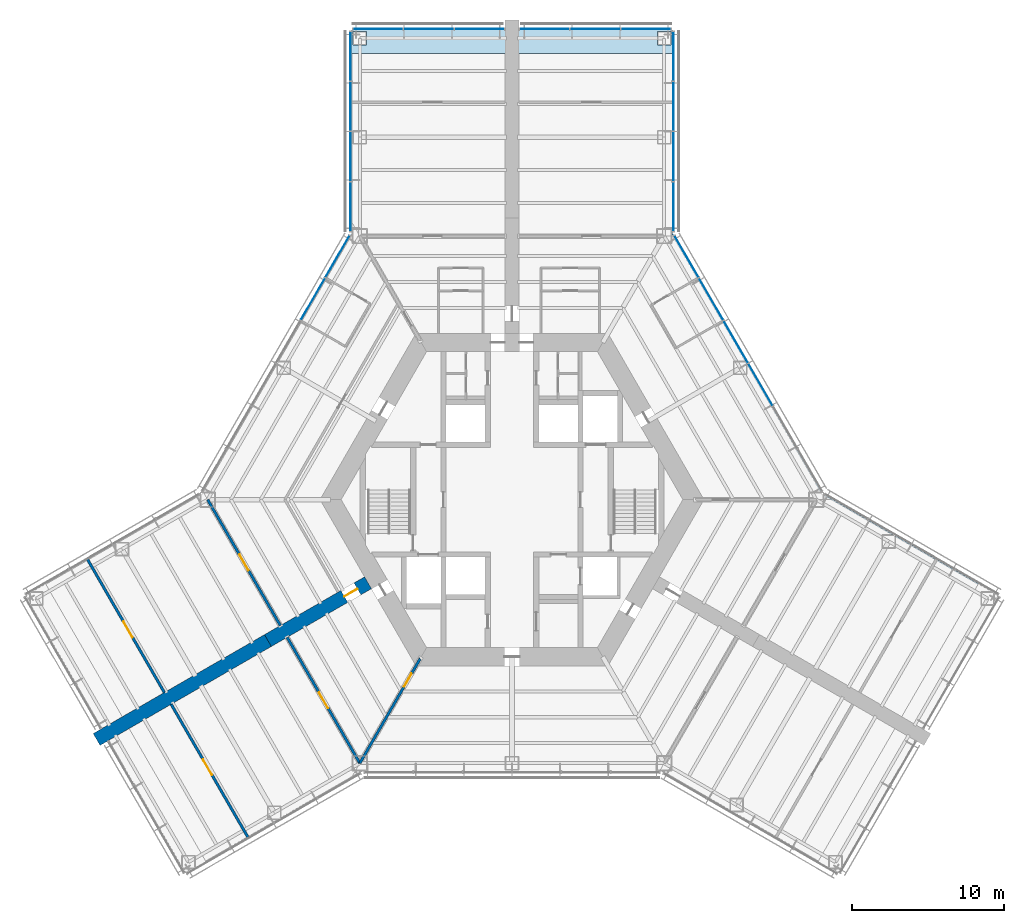
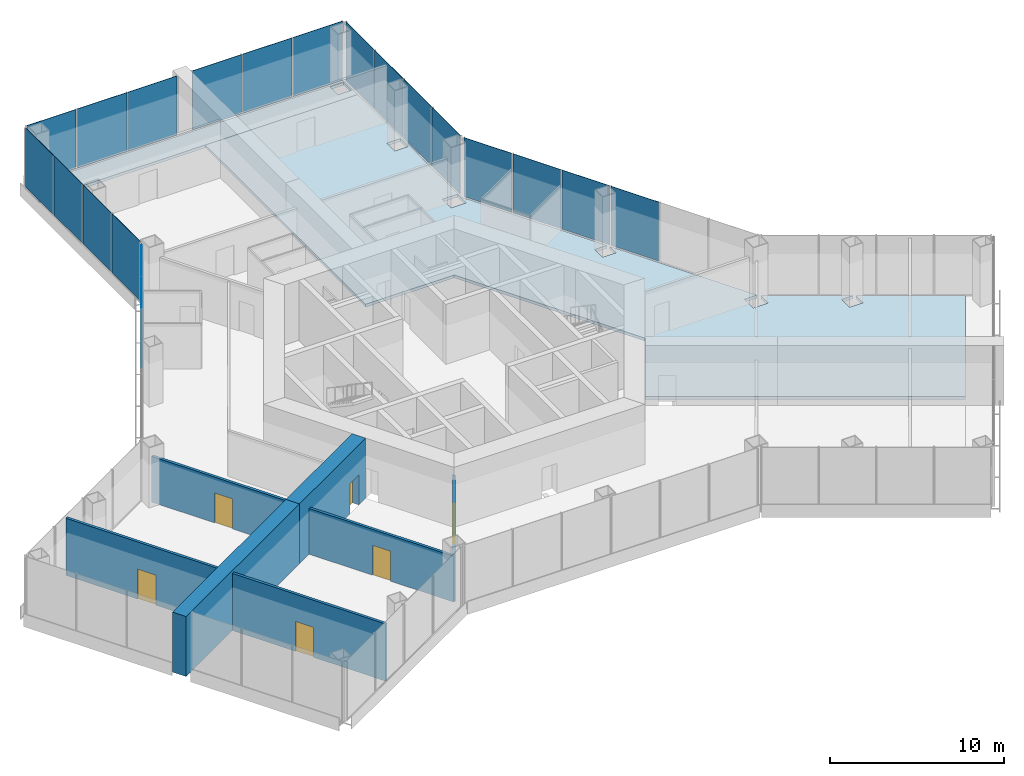
# One storey, part 10 of 16: 20 plates, 7 walls, 6 doors, 2 slabs, 6 openings, 6 elements without a shape of their own.
"""IFC4 building model written with IfcOpenShell, lengths in metres."""

from ifc_helpers import new_model, si_unit, direction, frame, frame_2d, origin, origin_2d, place, context, subcontext, project, spatial, polyline, rectangle, outline, extrude, material, layer, layer_set, type_object, element, fill, aggregate, save


model = new_model("IFC4")

# Units and contexts
model_context = context("Model", 3, precision=1e-05, world=origin(), true_north=direction((0.0, 1.0)))
body_context = subcontext(model_context, "Body", "Model", "MODEL_VIEW")
ifc_project = project(units=[si_unit("LENGTHUNIT", "METRE"), si_unit("AREAUNIT", "SQUARE_METRE"), si_unit("VOLUMEUNIT", "CUBIC_METRE"), si_unit("PLANEANGLEUNIT", "RADIAN"), si_unit("MASSUNIT", "GRAM", prefix="KILO")], contexts=[model_context])

# Site, building, storey
site_placement = place(None, origin())
site = spatial("IfcSite", under=ifc_project, at=site_placement, CompositionType="ELEMENT")
building_placement = place(site_placement, origin())
building = spatial("IfcBuilding", under=site, at=building_placement, Name="Kasaneha Research Tower", CompositionType="ELEMENT")
storey_placement = place(building_placement, frame((0.0, 0.0, 14.199951171875)))
storey = spatial("IfcBuildingStorey", under=building, at=storey_placement, Name="L04", CompositionType="ELEMENT", Elevation=14.199951171875)

# Curtain wall, plates
ifc_material_1 = material(Name="Glass and aluminium", Category="aluminium")
curtain_wall_type = type_object("IfcCurtainWallType", Name="Wet laboratory curtain wall", PredefinedType="USERDEFINED", material=ifc_material_1)
curtain_wall_1_placement = place(storey_placement, origin())
curtain_wall_1 = element("IfcCurtainWall", 1, at=curtain_wall_1_placement, inside=storey, type_object=curtain_wall_type, Name="CW-L1 L04 run 07a", ObjectType="UNITISED CURTAIN WALL", PredefinedType="USERDEFINED")
ifc_material_2 = material(Name="Laminated double glazing", Category="glass")
ifc_layer_1 = layer(ifc_material_2, 0.030029296875)
ifc_layer_set_1 = layer_set([ifc_layer_1], Name="CW-L1 glazed panel")
plate_type = type_object("IfcPlateType", Name="CW-L1 glazed panel", PredefinedType="CURTAIN_PANEL", material=ifc_layer_set_1)
plate_1_placement = place(storey_placement, frame((16.331298828125, 7.554443359375, 0.06494140625), z_axis=(0.0, 0.0, 1.0), x_axis=(-0.49999996188, 0.866025425793, 0.0)))
plate_1 = element("IfcPlate", 2, at=plate_1_placement, type_object=plate_type, Name="CW-L1 panel 3", PredefinedType="CURTAIN_PANEL", context=body_context, shape_type="SweptSolid", body=[
    extrude(rectangle(XDim=3.181396484375, YDim=0.030029296875, at=origin_2d()), origin(), (0.0, 0.0, 1.0), 4.135009765625),
])
plate_2_placement = place(storey_placement, frame((14.7080078125, 10.365966796875, 0.06494140625), z_axis=(0.0, 0.0, 1.0), x_axis=(-0.49999996188, 0.866025425793, 0.0)))
plate_2 = element("IfcPlate", 3, at=plate_2_placement, type_object=plate_type, Name="CW-L1 panel 4", PredefinedType="CURTAIN_PANEL", context=body_context, shape_type="SweptSolid", body=[
    extrude(rectangle(XDim=3.181396484375, YDim=0.030029296875, at=origin_2d()), origin(), (0.0, 0.0, 1.0), 4.135009765625),
])
plate_3_placement = place(storey_placement, frame((13.084716796875, 13.177490234375, 0.06494140625), z_axis=(0.0, 0.0, 1.0), x_axis=(-0.49999996188, 0.866025425793, 0.0)))
plate_3 = element("IfcPlate", 4, at=plate_3_placement, type_object=plate_type, Name="CW-L1 panel 5", PredefinedType="CURTAIN_PANEL", context=body_context, shape_type="SweptSolid", body=[
    extrude(rectangle(XDim=3.181396484375, YDim=0.030029296875, at=origin_2d()), origin(), (0.0, 0.0, 1.0), 4.135009765625),
])
plate_4_placement = place(storey_placement, frame((11.4697265625, 15.974853515625, 0.06494140625), z_axis=(0.0, 0.0, 1.0), x_axis=(-0.49999996188, 0.866025425793, 0.0)))
plate_4 = element("IfcPlate", 5, at=plate_4_placement, type_object=plate_type, Name="CW-L1 panel 6", PredefinedType="CURTAIN_PANEL", context=body_context, shape_type="SweptSolid", body=[
    extrude(rectangle(XDim=3.14892578125, YDim=0.030029296875, at=origin_2d()), origin(), (0.0, 0.0, 1.0), 4.135009765625),
])
aggregate(curtain_wall_1, [plate_1, plate_2, plate_3, plate_4])

curtain_wall_2_placement = place(storey_placement, origin())
curtain_wall_2 = element("IfcCurtainWall", 6, at=curtain_wall_2_placement, inside=storey, type_object=curtain_wall_type, Name="CW-L1 L04 run 08a", ObjectType="UNITISED CURTAIN WALL", PredefinedType="USERDEFINED")
plate_5_placement = place(storey_placement, frame((10.60009765625, 19.25244140625, 0.06494140625), z_axis=(0.0, 0.0, 1.0), x_axis=(0.0, 1.0, 0.0)))
plate_5 = element("IfcPlate", 7, at=plate_5_placement, type_object=plate_type, Name="CW-L1 panel 1", PredefinedType="CURTAIN_PANEL", context=body_context, shape_type="SweptSolid", body=[
    extrude(rectangle(XDim=3.21240234375, YDim=0.030029296875, at=origin_2d()), origin(), (0.0, 0.0, 1.0), 4.135009765625),
])
plate_6_placement = place(storey_placement, frame((10.60009765625, 22.5458984375, 0.06494140625), z_axis=(0.0, 0.0, 1.0), x_axis=(0.0, 1.0, 0.0)))
plate_6 = element("IfcPlate", 8, at=plate_6_placement, type_object=plate_type, Name="CW-L1 panel 2", PredefinedType="CURTAIN_PANEL", context=body_context, shape_type="SweptSolid", body=[
    extrude(rectangle(XDim=3.244873046875, YDim=0.030029296875, at=origin_2d()), origin(), (0.0, 0.0, 1.0), 4.135009765625),
])
plate_7_placement = place(storey_placement, frame((10.60009765625, 25.855712890625, 0.06494140625), z_axis=(0.0, 0.0, 1.0), x_axis=(0.0, 1.0, 0.0)))
plate_7 = element("IfcPlate", 9, at=plate_7_placement, type_object=plate_type, Name="CW-L1 panel 3", PredefinedType="CURTAIN_PANEL", context=body_context, shape_type="SweptSolid", body=[
    extrude(rectangle(XDim=3.244873046875, YDim=0.030029296875, at=origin_2d()), origin(), (0.0, 0.0, 1.0), 4.135009765625),
])
plate_8_placement = place(storey_placement, frame((10.60009765625, 29.1494140625, 0.06494140625), z_axis=(0.0, 0.0, 1.0), x_axis=(0.0, 1.0, 0.0)))
plate_8 = element("IfcPlate", 10, at=plate_8_placement, type_object=plate_type, Name="CW-L1 panel 4", PredefinedType="CURTAIN_PANEL", context=body_context, shape_type="SweptSolid", body=[
    extrude(rectangle(XDim=3.21240234375, YDim=0.030029296875, at=origin_2d()), origin(), (0.0, 0.0, 1.0), 4.135009765625),
])
aggregate(curtain_wall_2, [plate_5, plate_6, plate_7, plate_8])

curtain_wall_3_placement = place(storey_placement, origin())
curtain_wall_3 = element("IfcCurtainWall", 11, at=curtain_wall_3_placement, inside=storey, type_object=curtain_wall_type, Name="CW-L1 L04 run 09a", ObjectType="UNITISED CURTAIN WALL", PredefinedType="USERDEFINED")
plate_9_placement = place(storey_placement, frame((8.808837890625, 30.92041015625, 0.06494140625), z_axis=(0.0, 0.0, 1.0), x_axis=(-1.0, 0.0, 0.0)))
plate_9 = element("IfcPlate", 12, at=plate_9_placement, type_object=plate_type, Name="CW-L1 panel 1", PredefinedType="CURTAIN_PANEL", context=body_context, shape_type="SweptSolid", body=[
    extrude(rectangle(XDim=3.25244140625, YDim=0.030029296875, at=origin_2d()), origin(), (0.0, 0.0, 1.0), 4.135009765625),
])
plate_10_placement = place(storey_placement, frame((5.47509765625, 30.92041015625, 0.06494140625), z_axis=(0.0, 0.0, 1.0), x_axis=(-1.0, 0.0, 0.0)))
plate_10 = element("IfcPlate", 13, at=plate_10_placement, type_object=plate_type, Name="CW-L1 panel 2", PredefinedType="CURTAIN_PANEL", context=body_context, shape_type="SweptSolid", body=[
    extrude(rectangle(XDim=3.284912109375, YDim=0.030029296875, at=origin_2d()), origin(), (0.0, 0.0, 1.0), 4.135009765625),
])
plate_11_placement = place(storey_placement, frame((2.141357421875, 30.92041015625, 0.06494140625), z_axis=(0.0, 0.0, 1.0), x_axis=(-1.0, 0.0, 0.0)))
plate_11 = element("IfcPlate", 14, at=plate_11_placement, type_object=plate_type, Name="CW-L1 panel 3", PredefinedType="CURTAIN_PANEL", context=body_context, shape_type="SweptSolid", body=[
    extrude(rectangle(XDim=3.25244140625, YDim=0.030029296875, at=origin_2d()), origin(), (0.0, 0.0, 1.0), 4.135009765625),
])
aggregate(curtain_wall_3, [plate_9, plate_10, plate_11])

curtain_wall_4_placement = place(storey_placement, origin())
curtain_wall_4 = element("IfcCurtainWall", 15, at=curtain_wall_4_placement, inside=storey, type_object=curtain_wall_type, Name="CW-L1 L04 run 10a", ObjectType="UNITISED CURTAIN WALL", PredefinedType="USERDEFINED")
plate_12_placement = place(storey_placement, frame((-2.141357421875, 30.92041015625, 0.06494140625), z_axis=(0.0, 0.0, 1.0), x_axis=(-1.0, 0.0, 0.0)))
plate_12 = element("IfcPlate", 16, at=plate_12_placement, type_object=plate_type, Name="CW-L1 panel 1", PredefinedType="CURTAIN_PANEL", context=body_context, shape_type="SweptSolid", body=[
    extrude(rectangle(XDim=3.25244140625, YDim=0.030029296875, at=origin_2d()), origin(), (0.0, 0.0, 1.0), 4.135009765625),
])
plate_13_placement = place(storey_placement, frame((-5.47509765625, 30.92041015625, 0.06494140625), z_axis=(0.0, 0.0, 1.0), x_axis=(-1.0, 0.0, 0.0)))
plate_13 = element("IfcPlate", 17, at=plate_13_placement, type_object=plate_type, Name="CW-L1 panel 2", PredefinedType="CURTAIN_PANEL", context=body_context, shape_type="SweptSolid", body=[
    extrude(rectangle(XDim=3.284912109375, YDim=0.030029296875, at=origin_2d()), origin(), (0.0, 0.0, 1.0), 4.135009765625),
])
plate_14_placement = place(storey_placement, frame((-8.808837890625, 30.92041015625, 0.06494140625), z_axis=(0.0, 0.0, 1.0), x_axis=(-1.0, 0.0, 0.0)))
plate_14 = element("IfcPlate", 18, at=plate_14_placement, type_object=plate_type, Name="CW-L1 panel 3", PredefinedType="CURTAIN_PANEL", context=body_context, shape_type="SweptSolid", body=[
    extrude(rectangle(XDim=3.25244140625, YDim=0.030029296875, at=origin_2d()), origin(), (0.0, 0.0, 1.0), 4.135009765625),
])
aggregate(curtain_wall_4, [plate_12, plate_13, plate_14])

curtain_wall_5_placement = place(storey_placement, origin())
curtain_wall_5 = element("IfcCurtainWall", 19, at=curtain_wall_5_placement, inside=storey, type_object=curtain_wall_type, Name="CW-L1 L04 run 11a", ObjectType="UNITISED CURTAIN WALL", PredefinedType="USERDEFINED")
plate_15_placement = place(storey_placement, frame((-10.60009765625, 29.1494140625, 0.06494140625), z_axis=(0.0, 0.0, 1.0), x_axis=(0.0, -1.0, 0.0)))
plate_15 = element("IfcPlate", 20, at=plate_15_placement, type_object=plate_type, Name="CW-L1 panel 1", PredefinedType="CURTAIN_PANEL", context=body_context, shape_type="SweptSolid", body=[
    extrude(rectangle(XDim=3.21240234375, YDim=0.030029296875, at=origin_2d()), origin(), (0.0, 0.0, 1.0), 4.135009765625),
])
plate_16_placement = place(storey_placement, frame((-10.60009765625, 25.855712890625, 0.06494140625), z_axis=(0.0, 0.0, 1.0), x_axis=(0.0, -1.0, 0.0)))
plate_16 = element("IfcPlate", 21, at=plate_16_placement, type_object=plate_type, Name="CW-L1 panel 2", PredefinedType="CURTAIN_PANEL", context=body_context, shape_type="SweptSolid", body=[
    extrude(rectangle(XDim=3.244873046875, YDim=0.030029296875, at=origin_2d()), origin(), (0.0, 0.0, 1.0), 4.135009765625),
])
plate_17_placement = place(storey_placement, frame((-10.60009765625, 22.5458984375, 0.06494140625), z_axis=(0.0, 0.0, 1.0), x_axis=(0.0, -1.0, 0.0)))
plate_17 = element("IfcPlate", 22, at=plate_17_placement, type_object=plate_type, Name="CW-L1 panel 3", PredefinedType="CURTAIN_PANEL", context=body_context, shape_type="SweptSolid", body=[
    extrude(rectangle(XDim=3.244873046875, YDim=0.030029296875, at=origin_2d()), origin(), (0.0, 0.0, 1.0), 4.135009765625),
])
plate_18_placement = place(storey_placement, frame((-10.60009765625, 19.25244140625, 0.06494140625), z_axis=(0.0, 0.0, 1.0), x_axis=(0.0, -1.0, 0.0)))
plate_18 = element("IfcPlate", 23, at=plate_18_placement, type_object=plate_type, Name="CW-L1 panel 4", PredefinedType="CURTAIN_PANEL", context=body_context, shape_type="SweptSolid", body=[
    extrude(rectangle(XDim=3.21240234375, YDim=0.030029296875, at=origin_2d()), origin(), (0.0, 0.0, 1.0), 4.135009765625),
])
aggregate(curtain_wall_5, [plate_15, plate_16, plate_17, plate_18])

curtain_wall_6_placement = place(storey_placement, origin())
curtain_wall_6 = element("IfcCurtainWall", 24, at=curtain_wall_6_placement, inside=storey, type_object=curtain_wall_type, Name="CW-L1 L04 run 12a", ObjectType="UNITISED CURTAIN WALL", PredefinedType="USERDEFINED")
plate_19_placement = place(storey_placement, frame((-11.4697265625, 15.974853515625, 0.06494140625), z_axis=(0.0, 0.0, 1.0), x_axis=(-0.49999996188, -0.866025425793, 0.0)))
plate_19 = element("IfcPlate", 25, at=plate_19_placement, type_object=plate_type, Name="CW-L1 panel 1", PredefinedType="CURTAIN_PANEL", context=body_context, shape_type="SweptSolid", body=[
    extrude(rectangle(XDim=3.14892578125, YDim=0.030029296875, at=origin_2d()), origin(), (0.0, 0.0, 1.0), 4.135009765625),
])
plate_20_placement = place(storey_placement, frame((-13.084716796875, 13.177490234375, 0.06494140625), z_axis=(0.0, 0.0, 1.0), x_axis=(-0.49999996188, -0.866025425793, 0.0)))
plate_20 = element("IfcPlate", 26, at=plate_20_placement, type_object=plate_type, Name="CW-L1 panel 2", PredefinedType="CURTAIN_PANEL", context=body_context, shape_type="SweptSolid", body=[
    extrude(rectangle(XDim=3.181396484375, YDim=0.030029296875, at=origin_2d()), origin(), (0.0, 0.0, 1.0), 4.135009765625),
])
aggregate(curtain_wall_6, [plate_19, plate_20])

# Slabs
ifc_material_3 = material(Name="Concrete Fc24", Category="concrete")
ifc_layer_2 = layer(ifc_material_3, 0.199951171875)
ifc_layer_set_2 = layer_set([ifc_layer_2], Name="Floor slab 200")
slab_type = type_object("IfcSlabType", Name="Floor slab 200", PredefinedType="FLOOR", material=ifc_layer_set_2)
slab_1_placement = place(storey_placement, frame((0.0, 0.0, -0.199951171875)))
element("IfcSlab", 27, at=slab_1_placement, inside=storey, type_object=slab_type, Name="Floor slab L04 3", PredefinedType="FLOOR", context=body_context, shape_type="SweptSolid", body=[
    extrude(outline(polyline([(10.550048828125, 29.310546875), (0.449951171875, 29.310546875), (0.449951171875, 29.320556640625), (-0.449951171875, 29.320556640625), (-0.449951171875, 29.310546875), (-10.550048828125, 29.310546875), (-10.550048828125, 30.87060546875), (10.550048828125, 30.87060546875), (10.550048828125, 29.310546875)]), holes=[polyline([(-9.550048828125, 29.87060546875), (-9.550048828125, 30.7705078125), (-10.449951171875, 30.7705078125), (-10.449951171875, 29.87060546875), (-9.550048828125, 29.87060546875)]), polyline([(9.550048828125, 29.87060546875), (10.449951171875, 29.87060546875), (10.449951171875, 30.7705078125), (9.550048828125, 30.7705078125), (9.550048828125, 29.87060546875)])]), origin(), (0.0, 0.0, 1.0), 0.199951171875),
])
slab_2_placement = place(storey_placement, frame((0.0, 0.0, -0.199951171875)))
element("IfcSlab", 28, at=slab_2_placement, inside=storey, type_object=slab_type, Name="Floor slab L04 5", PredefinedType="FLOOR", context=body_context, shape_type="SweptSolid", body=[
    extrude(outline(polyline([(9.686279296875, -5.07275390625), (12.614990234375, 0.0), (6.3076171875, 10.925048828125), (0.449951171875, 10.925048828125), (0.449951171875, 29.310546875), (10.550048828125, 29.310546875), (10.550048828125, 17.4677734375), (15.375244140625, 9.1103515625), (14.550048828125, 9.1103515625), (14.550048828125, 8.210205078125), (15.449951171875, 8.210205078125), (15.449951171875, 8.980712890625), (20.346435546875, 0.5), (19.5, 0.5), (19.5, -0.5), (20.5, -0.5), (20.5, 0.346435546875), (25.083740234375, -2.300048828125), (24.313232421875, -2.300048828125), (24.313232421875, -3.199951171875), (25.213134765625, -3.199951171875), (25.213134765625, -2.374755859375), (30.65869140625, -5.518798828125), (25.608642578125, -14.265625), (9.686279296875, -5.07275390625)]), holes=[polyline([(9.5, 16.820556640625), (10.5, 16.820556640625), (10.5, 17.820556640625), (9.5, 17.820556640625), (9.5, 16.820556640625)]), polyline([(9.550048828125, 23.37060546875), (10.449951171875, 23.37060546875), (10.449951171875, 24.2705078125), (9.550048828125, 24.2705078125), (9.550048828125, 23.37060546875)])]), origin(), (0.0, 0.0, 1.0), 0.199951171875),
])

# Wall, opening, door
ifc_material_4 = material(Name="Gypsum board on steel studs, two layers each side", Category="steel")
ifc_layer_3 = layer(ifc_material_4, 0.175048828125)
ifc_layer_set_3 = layer_set([ifc_layer_3], Name="Laboratory fire partition 175")
wall_type_1 = type_object("IfcWallType", Name="Laboratory fire partition 175", PredefinedType="PARTITIONING", material=ifc_layer_set_3)
wall_1_placement = place(storey_placement, frame((-15.22509765625, -8.2705078125, 0.0), z_axis=(0.0, 0.0, 1.0), x_axis=(-0.499993908199, 0.866028920859, 0.0)))
wall_1 = element("IfcWall", 29, at=wall_1_placement, inside=storey, type_object=wall_type_1, Name="Laboratory fire partition LABB-N L04", PredefinedType="PARTITIONING", context=body_context, shape_type="SweptSolid", body=[
    extrude(rectangle(XDim=9.5498046875, YDim=0.175048828125, at=frame_2d((4.77490234375, 0.0))), origin(), (0.0, 0.0, 1.0), 3.2080078125),
])
opening_1_placement = place(wall_1_placement, frame((4.175048828125, 0.0, 0.0)))
opening_1 = element("IfcOpeningElement", 30, at=opening_1_placement, cuts=wall_1, Name="Opening L04-D36", PredefinedType="OPENING", context=body_context, shape_type="SweptSolid", body=[
    extrude(rectangle(XDim=1.199951171875, YDim=2.10009765625, at=frame_2d((0.60009765625, 1.050048828125))), frame((0.0, 0.09765625, 0.0), z_axis=(0.0, -1.0, 0.0), x_axis=(1.0, 0.0, 0.0)), (0.0, 0.0, 1.0), 0.195068359375),
])
ifc_material_5 = material(Name="Steel", Category="steel")
door_type_1 = type_object("IfcDoorType", Name="Laboratory door FD60 1200x2100", OperationType="DOUBLE_DOOR_SINGLE_SWING", PredefinedType="DOOR", material=ifc_material_5)
door_1_placement = place(opening_1_placement, origin())
door_1 = element("IfcDoor", 31, at=door_1_placement, inside=storey, type_object=door_type_1, Name="Laboratory door L04-D36", OperationType="DOUBLE_DOOR_SINGLE_SWING", OverallHeight=2.10009765625, OverallWidth=1.199951171875, PredefinedType="DOOR", context=body_context, shape_type="SweptSolid", body=[
    extrude(rectangle(XDim=1.199951171875, YDim=2.10009765625, at=frame_2d((0.60009765625, 1.050048828125))), frame((0.0, 0.02490234375, 0.0), z_axis=(0.0, -1.0, 0.0), x_axis=(1.0, 0.0, 0.0)), (0.0, 0.0, 1.0), 0.050048828125),
])
fill(opening_1, door_1)

wall_2_placement = place(storey_placement, frame((-22.845947265625, -12.670654296875, 0.0), z_axis=(0.0, 0.0, 1.0), x_axis=(-0.50000186303, 0.866024328161, 0.0)))
wall_2 = element("IfcWall", 32, at=wall_2_placement, inside=storey, type_object=wall_type_1, Name="Laboratory fire partition SUPB-N L04", PredefinedType="PARTITIONING", context=body_context, shape_type="SweptSolid", body=[
    extrude(rectangle(XDim=10.13525390625, YDim=0.175048828125, at=frame_2d((5.067626953125, 0.0))), origin(), (0.0, 0.0, 1.0), 4.0),
])
opening_2_placement = place(wall_2_placement, frame((4.175048828125, 0.0, 0.0)))
opening_2 = element("IfcOpeningElement", 33, at=opening_2_placement, cuts=wall_2, Name="Opening L04-D39", PredefinedType="OPENING", context=body_context, shape_type="SweptSolid", body=[
    extrude(rectangle(XDim=1.199951171875, YDim=2.10009765625, at=frame_2d((0.60009765625, 1.050048828125))), frame((0.0, 0.09765625, 0.0), z_axis=(0.0, -1.0, 0.0), x_axis=(1.0, 0.0, 0.0)), (0.0, 0.0, 1.0), 0.195068359375),
])
door_2_placement = place(opening_2_placement, origin())
door_2 = element("IfcDoor", 34, at=door_2_placement, inside=storey, type_object=door_type_1, Name="Laboratory support room door L04-D39", OperationType="DOUBLE_DOOR_SINGLE_SWING", OverallHeight=2.10009765625, OverallWidth=1.199951171875, PredefinedType="DOOR", context=body_context, shape_type="SweptSolid", body=[
    extrude(rectangle(XDim=1.199951171875, YDim=2.10009765625, at=frame_2d((0.60009765625, 1.050048828125))), frame((0.0, 0.02490234375, 0.0), z_axis=(0.0, -1.0, 0.0), x_axis=(1.0, 0.0, 0.0)), (0.0, 0.0, 1.0), 0.050048828125),
])
fill(opening_2, door_2)

wall_3_placement = place(storey_placement, frame((-14.77490234375, -9.050048828125, 0.0), z_axis=(0.0, 0.0, 1.0), x_axis=(0.499993908199, -0.866028920859, 0.0)))
wall_3 = element("IfcWall", 35, at=wall_3_placement, inside=storey, type_object=wall_type_1, Name="Laboratory fire partition LABB-S L04", PredefinedType="PARTITIONING", context=body_context, shape_type="SweptSolid", body=[
    extrude(rectangle(XDim=9.5498046875, YDim=0.175048828125, at=frame_2d((4.77490234375, 0.0))), origin(), (0.0, 0.0, 1.0), 3.2080078125),
])
opening_3_placement = place(wall_3_placement, frame((4.175048828125, 0.0, 0.0)))
opening_3 = element("IfcOpeningElement", 36, at=opening_3_placement, cuts=wall_3, Name="Opening L04-D40", PredefinedType="OPENING", context=body_context, shape_type="SweptSolid", body=[
    extrude(rectangle(XDim=1.199951171875, YDim=2.10009765625, at=frame_2d((0.60009765625, 1.050048828125))), frame((0.0, 0.09765625, 0.0), z_axis=(0.0, -1.0, 0.0), x_axis=(1.0, 0.0, 0.0)), (0.0, 0.0, 1.0), 0.195068359375),
])
door_3_placement = place(opening_3_placement, origin())
door_3 = element("IfcDoor", 37, at=door_3_placement, inside=storey, type_object=door_type_1, Name="Laboratory door L04-D40", OperationType="DOUBLE_DOOR_SINGLE_SWING", OverallHeight=2.10009765625, OverallWidth=1.199951171875, PredefinedType="DOOR", context=body_context, shape_type="SweptSolid", body=[
    extrude(rectangle(XDim=1.199951171875, YDim=2.10009765625, at=frame_2d((0.60009765625, 1.050048828125))), frame((0.0, 0.02490234375, 0.0), z_axis=(0.0, -1.0, 0.0), x_axis=(1.0, 0.0, 0.0)), (0.0, 0.0, 1.0), 0.050048828125),
])
fill(opening_3, door_3)

wall_4_placement = place(storey_placement, frame((-22.39599609375, -13.449951171875, 0.0), z_axis=(0.0, 0.0, 1.0), x_axis=(0.500005203629, -0.866022399447, 0.0)))
wall_4 = element("IfcWall", 38, at=wall_4_placement, inside=storey, type_object=wall_type_1, Name="Laboratory fire partition SUPB-S L04", PredefinedType="PARTITIONING", context=body_context, shape_type="SweptSolid", body=[
    extrude(rectangle(XDim=10.14013671875, YDim=0.175048828125, at=frame_2d((5.070068359375, 0.0))), origin(), (0.0, 0.0, 1.0), 4.0),
])
opening_4_placement = place(wall_4_placement, frame((4.175048828125, 0.0, 0.0)))
opening_4 = element("IfcOpeningElement", 39, at=opening_4_placement, cuts=wall_4, Name="Opening L04-D41", PredefinedType="OPENING", context=body_context, shape_type="SweptSolid", body=[
    extrude(rectangle(XDim=1.199951171875, YDim=2.10009765625, at=frame_2d((0.60009765625, 1.050048828125))), frame((0.0, 0.09765625, 0.0), z_axis=(0.0, -1.0, 0.0), x_axis=(1.0, 0.0, 0.0)), (0.0, 0.0, 1.0), 0.195068359375),
])
door_4_placement = place(opening_4_placement, origin())
door_4 = element("IfcDoor", 40, at=door_4_placement, inside=storey, type_object=door_type_1, Name="Laboratory support room door L04-D41", OperationType="DOUBLE_DOOR_SINGLE_SWING", OverallHeight=2.10009765625, OverallWidth=1.199951171875, PredefinedType="DOOR", context=body_context, shape_type="SweptSolid", body=[
    extrude(rectangle(XDim=1.199951171875, YDim=2.10009765625, at=frame_2d((0.60009765625, 1.050048828125))), frame((0.0, 0.02490234375, 0.0), z_axis=(0.0, -1.0, 0.0), x_axis=(1.0, 0.0, 0.0)), (0.0, 0.0, 1.0), 0.050048828125),
])
fill(opening_4, door_4)

ifc_material_6 = material(Name="Concrete Fc100", Category="concrete")
ifc_layer_4 = layer(ifc_material_6, 0.89990234375)
ifc_layer_set_4 = layer_set([ifc_layer_4], Name="Spine wall 900 Fc100")
wall_type_2 = type_object("IfcWallType", Name="Spine wall 900 Fc100", PredefinedType="SHEAR", material=ifc_layer_set_4)
wall_5_placement = place(storey_placement, frame((-9.46142578125, -5.46240234375, 0.0), z_axis=(0.0, 0.0, 1.0), x_axis=(-0.866019116917, -0.500010889016, 0.0)))
wall_5 = element("IfcWall", 41, at=wall_5_placement, inside=storey, type_object=wall_type_2, Name="Spine wall B L04", PredefinedType="SHEAR", context=body_context, shape_type="SweptSolid", body=[
    extrude(rectangle(XDim=7.595458984375, YDim=0.89990234375, at=frame_2d((3.7978515625, 0.0))), origin(), (0.0, 0.0, 1.0), 4.199951171875),
])
opening_5_placement = place(wall_5_placement, frame((0.800048828125, 0.0, 0.0)))
opening_5 = element("IfcOpeningElement", 42, at=opening_5_placement, cuts=wall_5, Name="Opening L04-D18", PredefinedType="OPENING", context=body_context, shape_type="SweptSolid", body=[
    extrude(rectangle(XDim=1.0, YDim=2.10009765625, at=frame_2d((0.5, 1.050048828125))), frame((0.0, 0.4599609375, 0.0), z_axis=(0.0, -1.0, 0.0), x_axis=(1.0, 0.0, 0.0)), (0.0, 0.0, 1.0), 0.919921875),
])
ifc_material_7 = material(Name="Steel", Category="steel")
door_type_2 = type_object("IfcDoorType", Name="Specified fire door FD60 1000x2100", OperationType="NOTDEFINED", PredefinedType="DOOR", material=ifc_material_7)
door_5_placement = place(opening_5_placement, origin())
door_5 = element("IfcDoor", 43, at=door_5_placement, inside=storey, type_object=door_type_2, Name="Spine doorway B L04-D18", OperationType="SINGLE_SWING_LEFT", OverallHeight=2.10009765625, OverallWidth=1.0, PredefinedType="DOOR", context=body_context, shape_type="SweptSolid", body=[
    extrude(rectangle(XDim=1.0, YDim=2.10009765625, at=frame_2d((0.5, 1.050048828125))), frame((0.0, 0.02490234375, 0.0), z_axis=(0.0, -1.0, 0.0), x_axis=(1.0, 0.0, 0.0)), (0.0, 0.0, 1.0), 0.050048828125),
])
fill(opening_5, door_5)

# Wall
wall_6_placement = place(storey_placement, frame((-16.039306640625, -9.26025390625, 0.0), z_axis=(0.0, 0.0, 1.0), x_axis=(-0.866024837091, -0.50000098154, 0.0)))
element("IfcWall", 44, at=wall_6_placement, inside=storey, type_object=wall_type_2, Name="Spine wall B wing L04", PredefinedType="SHEAR", context=body_context, shape_type="SweptSolid", body=[
    extrude(rectangle(XDim=13.0, YDim=0.89990234375, at=frame_2d((6.5, 0.0))), origin(), (0.0, 0.0, 1.0), 4.199951171875),
])

# Wall, opening, door
ifc_material_8 = material(Name="Gypsum board on steel studs, two layers each side", Category="steel")
ifc_layer_5 = layer(ifc_material_8, 0.175048828125)
ifc_layer_set_5 = layer_set([ifc_layer_5], Name="Tenancy fire partition 175")
wall_type_3 = type_object("IfcWallType", Name="Tenancy fire partition 175", PredefinedType="PARTITIONING", material=ifc_layer_set_5)
wall_7_placement = place(storey_placement, frame((-6.03515625, -10.453125, 0.0), z_axis=(0.0, 0.0, 1.0), x_axis=(-0.499993402427, -0.866029212861, 0.0)))
wall_7 = element("IfcWall", 45, at=wall_7_placement, inside=storey, type_object=wall_type_3, Name="Tenancy fire partition T240 L04", PredefinedType="PARTITIONING", context=body_context, shape_type="SweptSolid", body=[
    extrude(outline(polyline([(-0.050537109375, -0.08740234375), (1.12939453125, -0.08740234375), (2.12939453125, -0.08740234375), (7.9296875, -0.08740234375), (7.9296875, 0.08740234375), (2.12939453125, 0.08740234375), (1.12939453125, 0.08740234375), (0.050537109375, 0.08740234375), (-0.050537109375, -0.08740234375)])), origin(), (0.0, 0.0, 1.0), 3.300048828125),
])
opening_6_placement = place(wall_7_placement, frame((1.12939453125, 0.0, 0.0)))
opening_6 = element("IfcOpeningElement", 46, at=opening_6_placement, cuts=wall_7, Name="Opening L04-D26", PredefinedType="OPENING", context=body_context, shape_type="SweptSolid", body=[
    extrude(rectangle(XDim=1.0, YDim=2.10009765625, at=frame_2d((0.5, 1.050048828125))), frame((0.0, 0.09765625, 0.0), z_axis=(0.0, -1.0, 0.0), x_axis=(1.0, 0.0, 0.0)), (0.0, 0.0, 1.0), 0.195068359375),
])
ifc_material_9 = material(Name="Steel", Category="steel")
door_type_3 = type_object("IfcDoorType", Name="Suite entrance door FD60 1000x2100", OperationType="NOTDEFINED", PredefinedType="DOOR", material=ifc_material_9)
door_6_placement = place(opening_6_placement, origin())
door_6 = element("IfcDoor", 47, at=door_6_placement, inside=storey, type_object=door_type_3, Name="Connecting door L04-D26", OperationType="SINGLE_SWING_LEFT", OverallHeight=2.10009765625, OverallWidth=1.0, PredefinedType="DOOR", context=body_context, shape_type="SweptSolid", body=[
    extrude(rectangle(XDim=1.0, YDim=2.10009765625, at=frame_2d((0.5, 1.050048828125))), frame((0.0, 0.02490234375, 0.0), z_axis=(0.0, -1.0, 0.0), x_axis=(1.0, 0.0, 0.0)), (0.0, 0.0, 1.0), 0.050048828125),
])
fill(opening_6, door_6)

save(model, "model.ifc")
